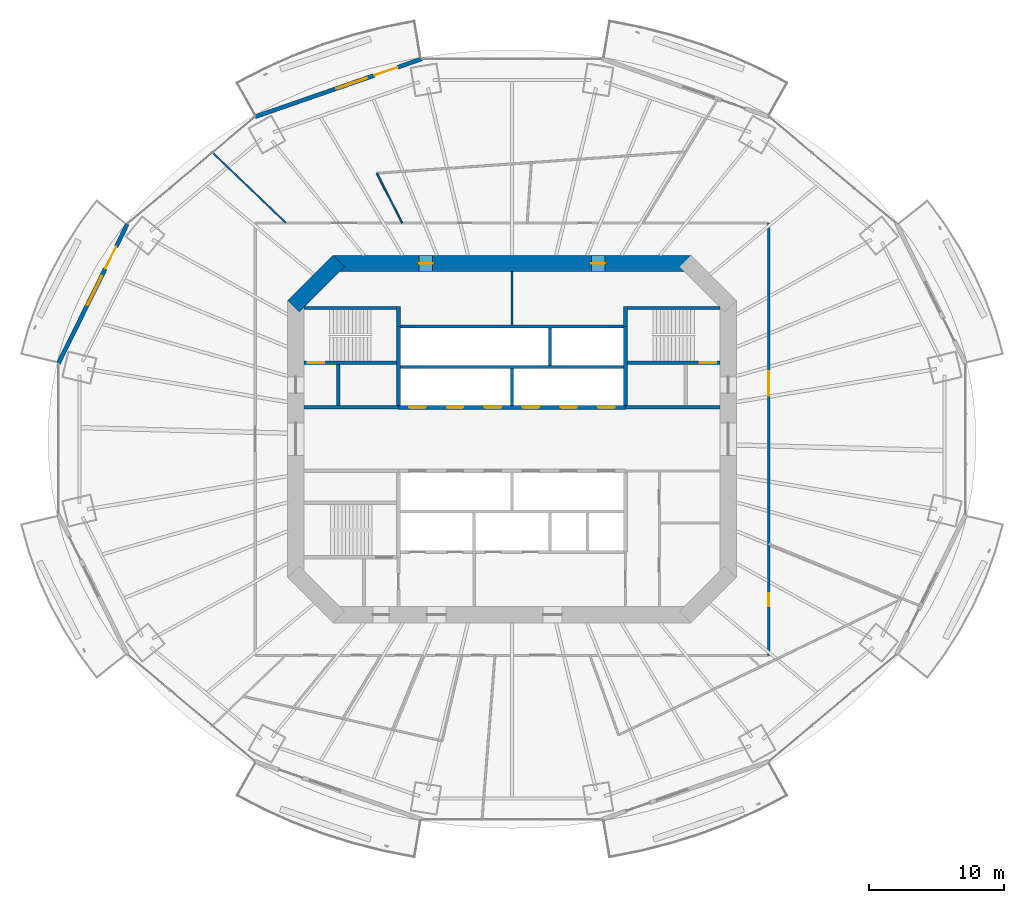
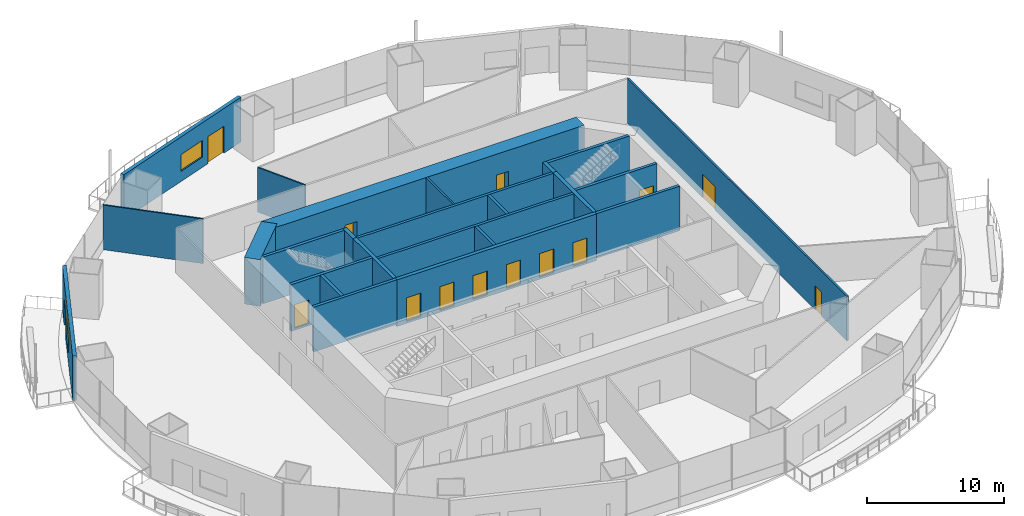
# One storey, part 15 of 22: 24 walls, 14 doors, 2 windows, 16 openings.
"""IFC4 building model written with IfcOpenShell, lengths in metres."""

from ifc_helpers import new_model, si_unit, direction, frame, frame_2d, origin, place, context, subcontext, project, spatial, rectangle, extrude, material, layer, layer_set, type_object, element, fill, save


model = new_model("IFC4")

# Units and contexts
model_context = context("Model", 3, precision=1e-05, world=origin(), true_north=direction((0.0, 1.0)))
body_context = subcontext(model_context, "Body", "Model", "MODEL_VIEW")
ifc_project = project(units=[si_unit("LENGTHUNIT", "METRE"), si_unit("AREAUNIT", "SQUARE_METRE"), si_unit("VOLUMEUNIT", "CUBIC_METRE"), si_unit("PLANEANGLEUNIT", "RADIAN"), si_unit("MASSUNIT", "GRAM", prefix="KILO")], contexts=[model_context])

# Site, building, storey
site_placement = place(None, origin())
site = spatial("IfcSite", under=ifc_project, at=site_placement, CompositionType="ELEMENT")
building_placement = place(site_placement, origin())
building = spatial("IfcBuilding", under=site, at=building_placement, Name="Marenthal Gate Tower", CompositionType="ELEMENT")
storey_placement = place(building_placement, frame((0.0, 0.0, 107.699951171875)))
storey = spatial("IfcBuildingStorey", under=building, at=storey_placement, Name="L22", CompositionType="ELEMENT", Elevation=107.699951171875)

# Wall, openings, doors
ifc_material_1 = material(Name="Concrete 60 MPa", Category="concrete")
ifc_layer_1 = layer(ifc_material_1, 1.199951171875)
ifc_layer_set_1 = layer_set([ifc_layer_1], Name="Core shear wall 1200")
wall_type_1 = type_object("IfcWallType", Name="Core shear wall 1200", PredefinedType="SHEAR", material=ifc_layer_set_1)
wall_1_placement = place(storey_placement, frame((13.24853515625, 13.0, -0.179931640625), z_axis=(0.0, 0.0, 1.0), x_axis=(-1.0, 0.0, 0.0)))
wall_1 = element("IfcWall", 1, at=wall_1_placement, inside=storey, type_object=wall_type_1, Name="Core wall 04", PredefinedType="SHEAR", context=body_context, shape_type="SweptSolid", body=[
    extrude(rectangle(XDim=26.4970703125, YDim=1.199951171875, at=frame_2d((13.24853515625, 0.0))), origin(), (0.0, 0.0, 1.0), 4.14990234375),
])
opening_1_placement = place(wall_1_placement, frame((19.12451171875, 0.0, 0.179931640625)))
opening_1 = element("IfcOpeningElement", 2, at=opening_1_placement, cuts=wall_1, Name="Opening D005.01", PredefinedType="OPENING", context=body_context, shape_type="SweptSolid", body=[
    extrude(rectangle(XDim=1.0, YDim=2.10009765625, at=frame_2d((0.5, 1.050048828125))), frame((0.0, 0.60986328125, 0.0), z_axis=(0.0, -1.0, 0.0), x_axis=(1.0, 0.0, 0.0)), (0.0, 0.0, 1.0), 1.219970703125),
])
opening_2_placement = place(wall_1_placement, frame((6.37255859375, 0.0, 0.179931640625)))
opening_2 = element("IfcOpeningElement", 3, at=opening_2_placement, cuts=wall_1, Name="Opening D005.02", PredefinedType="OPENING", context=body_context, shape_type="SweptSolid", body=[
    extrude(rectangle(XDim=1.0, YDim=2.10009765625, at=frame_2d((0.5, 1.050048828125))), frame((0.0, 0.60986328125, 0.0), z_axis=(0.0, -1.0, 0.0), x_axis=(1.0, 0.0, 0.0)), (0.0, 0.0, 1.0), 1.219970703125),
])
ifc_material_2 = material(Name="Steel fire door", Category="steel")
door_type_1 = type_object("IfcDoorType", Name="Fire door FD 45 1000 x 2100", OperationType="NOTDEFINED", PredefinedType="DOOR", material=ifc_material_2)
door_1_placement = place(opening_1_placement, origin())
door_1 = element("IfcDoor", 4, at=door_1_placement, inside=storey, type_object=door_type_1, Name="Door D005.01", OperationType="SINGLE_SWING_RIGHT", OverallHeight=2.10009765625, OverallWidth=1.0, PredefinedType="DOOR", context=body_context, shape_type="SweptSolid", body=[
    extrude(rectangle(XDim=1.0, YDim=2.10009765625, at=frame_2d((0.5, 1.050048828125))), frame((0.0, 0.02490234375, 0.0), z_axis=(0.0, -1.0, 0.0), x_axis=(1.0, 0.0, 0.0)), (0.0, 0.0, 1.0), 0.050048828125),
])
fill(opening_1, door_1)
door_2_placement = place(opening_2_placement, origin())
door_2 = element("IfcDoor", 5, at=door_2_placement, inside=storey, type_object=door_type_1, Name="Door D005.02", OperationType="SINGLE_SWING_RIGHT", OverallHeight=2.10009765625, OverallWidth=1.0, PredefinedType="DOOR", context=body_context, shape_type="SweptSolid", body=[
    extrude(rectangle(XDim=1.0, YDim=2.10009765625, at=frame_2d((0.5, 1.050048828125))), frame((0.0, 0.02490234375, 0.0), z_axis=(0.0, -1.0, 0.0), x_axis=(1.0, 0.0, 0.0)), (0.0, 0.0, 1.0), 0.050048828125),
])
fill(opening_2, door_2)

# Wall
wall_2_placement = place(storey_placement, frame((-12.82421875, 13.17578125, -0.179931640625), z_axis=(0.0, 0.0, 1.0), x_axis=(-0.707106781187, -0.707106781187, 0.0)))
element("IfcWall", 6, at=wall_2_placement, inside=storey, type_object=wall_type_1, Name="Core wall 05", PredefinedType="SHEAR", context=body_context, shape_type="SweptSolid", body=[
    extrude(rectangle(XDim=4.73974609375, YDim=1.199951171875, at=frame_2d((2.369873046875, 0.0))), origin(), (0.0, 0.0, 1.0), 4.14990234375),
])

# Wall, openings, doors
ifc_material_3 = material(Name="Concrete 50 MPa", Category="concrete")
ifc_layer_2 = layer(ifc_material_3, 0.300048828125)
ifc_layer_set_2 = layer_set([ifc_layer_2], Name="Hoistway shear wall 300")
wall_type_2 = type_object("IfcWallType", Name="Hoistway shear wall 300", PredefinedType="SHEAR", material=ifc_layer_set_2)
wall_3_placement = place(storey_placement, frame((-8.39990234375, 2.35009765625, -0.179931640625), z_axis=(0.0, 0.0, 1.0), x_axis=(1.0, 0.0, 0.0)))
wall_3 = element("IfcWall", 7, at=wall_3_placement, inside=storey, type_object=wall_type_2, Name="Hoistway wall 19", PredefinedType="SHEAR", context=body_context, shape_type="SweptSolid", body=[
    extrude(rectangle(XDim=16.7998046875, YDim=0.300048828125, at=frame_2d((8.39990234375, 0.0))), origin(), (0.0, 0.0, 1.0), 4.14990234375),
])
opening_3_placement = place(wall_3_placement, frame((0.800048828125, 0.0, 0.179931640625)))
opening_3 = element("IfcOpeningElement", 8, at=opening_3_placement, cuts=wall_3, Name="Opening LD-LP1", PredefinedType="OPENING", context=body_context, shape_type="SweptSolid", body=[
    extrude(rectangle(XDim=1.199951171875, YDim=2.10009765625, at=frame_2d((0.60009765625, 1.050048828125))), frame((0.0, 0.16015625, 0.0), z_axis=(0.0, -1.0, 0.0), x_axis=(1.0, 0.0, 0.0)), (0.0, 0.0, 1.0), 0.320068359375),
])
opening_4_placement = place(wall_3_placement, frame((3.60009765625, 0.0, 0.179931640625)))
opening_4 = element("IfcOpeningElement", 9, at=opening_4_placement, cuts=wall_3, Name="Opening LD-LP2", PredefinedType="OPENING", context=body_context, shape_type="SweptSolid", body=[
    extrude(rectangle(XDim=1.199951171875, YDim=2.10009765625, at=frame_2d((0.60009765625, 1.050048828125))), frame((0.0, 0.16015625, 0.0), z_axis=(0.0, -1.0, 0.0), x_axis=(1.0, 0.0, 0.0)), (0.0, 0.0, 1.0), 0.320068359375),
])
opening_5_placement = place(wall_3_placement, frame((6.39990234375, 0.0, 0.179931640625)))
opening_5 = element("IfcOpeningElement", 10, at=opening_5_placement, cuts=wall_3, Name="Opening LD-LP3", PredefinedType="OPENING", context=body_context, shape_type="SweptSolid", body=[
    extrude(rectangle(XDim=1.199951171875, YDim=2.10009765625, at=frame_2d((0.60009765625, 1.050048828125))), frame((0.0, 0.16015625, 0.0), z_axis=(0.0, -1.0, 0.0), x_axis=(1.0, 0.0, 0.0)), (0.0, 0.0, 1.0), 0.320068359375),
])
opening_6_placement = place(wall_3_placement, frame((9.199951171875, 0.0, 0.179931640625)))
opening_6 = element("IfcOpeningElement", 11, at=opening_6_placement, cuts=wall_3, Name="Opening LD-LP4", PredefinedType="OPENING", context=body_context, shape_type="SweptSolid", body=[
    extrude(rectangle(XDim=1.199951171875, YDim=2.10009765625, at=frame_2d((0.60009765625, 1.050048828125))), frame((0.0, 0.16015625, 0.0), z_axis=(0.0, -1.0, 0.0), x_axis=(1.0, 0.0, 0.0)), (0.0, 0.0, 1.0), 0.320068359375),
])
opening_7_placement = place(wall_3_placement, frame((12.0, 0.0, 0.179931640625)))
opening_7 = element("IfcOpeningElement", 12, at=opening_7_placement, cuts=wall_3, Name="Opening LD-LP5", PredefinedType="OPENING", context=body_context, shape_type="SweptSolid", body=[
    extrude(rectangle(XDim=1.199951171875, YDim=2.10009765625, at=frame_2d((0.60009765625, 1.050048828125))), frame((0.0, 0.16015625, 0.0), z_axis=(0.0, -1.0, 0.0), x_axis=(1.0, 0.0, 0.0)), (0.0, 0.0, 1.0), 0.320068359375),
])
opening_8_placement = place(wall_3_placement, frame((14.800048828125, 0.0, 0.179931640625)))
opening_8 = element("IfcOpeningElement", 13, at=opening_8_placement, cuts=wall_3, Name="Opening LD-LP6", PredefinedType="OPENING", context=body_context, shape_type="SweptSolid", body=[
    extrude(rectangle(XDim=1.199951171875, YDim=2.10009765625, at=frame_2d((0.60009765625, 1.050048828125))), frame((0.0, 0.16015625, 0.0), z_axis=(0.0, -1.0, 0.0), x_axis=(1.0, 0.0, 0.0)), (0.0, 0.0, 1.0), 0.320068359375),
])
ifc_material_4 = material(Name="Stainless steel sliding door", Category="steel")
door_type_2 = type_object("IfcDoorType", Name="Lift landing door FD 90 1200 x 2100", OperationType="DOUBLE_DOOR_SLIDING", PredefinedType="DOOR", material=ifc_material_4)
door_3_placement = place(opening_3_placement, origin())
door_3 = element("IfcDoor", 14, at=door_3_placement, inside=storey, type_object=door_type_2, Name="Lift landing door LP1", OperationType="DOUBLE_DOOR_SLIDING", OverallHeight=2.10009765625, OverallWidth=1.199951171875, PredefinedType="DOOR", context=body_context, shape_type="SweptSolid", body=[
    extrude(rectangle(XDim=1.199951171875, YDim=2.10009765625, at=frame_2d((0.60009765625, 1.050048828125))), frame((0.0, 0.02490234375, 0.0), z_axis=(0.0, -1.0, 0.0), x_axis=(1.0, 0.0, 0.0)), (0.0, 0.0, 1.0), 0.050048828125),
])
fill(opening_3, door_3)
door_4_placement = place(opening_4_placement, origin())
door_4 = element("IfcDoor", 15, at=door_4_placement, inside=storey, type_object=door_type_2, Name="Lift landing door LP2", OperationType="DOUBLE_DOOR_SLIDING", OverallHeight=2.10009765625, OverallWidth=1.199951171875, PredefinedType="DOOR", context=body_context, shape_type="SweptSolid", body=[
    extrude(rectangle(XDim=1.199951171875, YDim=2.10009765625, at=frame_2d((0.60009765625, 1.050048828125))), frame((0.0, 0.02490234375, 0.0), z_axis=(0.0, -1.0, 0.0), x_axis=(1.0, 0.0, 0.0)), (0.0, 0.0, 1.0), 0.050048828125),
])
fill(opening_4, door_4)
door_5_placement = place(opening_5_placement, origin())
door_5 = element("IfcDoor", 16, at=door_5_placement, inside=storey, type_object=door_type_2, Name="Lift landing door LP3", OperationType="DOUBLE_DOOR_SLIDING", OverallHeight=2.10009765625, OverallWidth=1.199951171875, PredefinedType="DOOR", context=body_context, shape_type="SweptSolid", body=[
    extrude(rectangle(XDim=1.199951171875, YDim=2.10009765625, at=frame_2d((0.60009765625, 1.050048828125))), frame((0.0, 0.02490234375, 0.0), z_axis=(0.0, -1.0, 0.0), x_axis=(1.0, 0.0, 0.0)), (0.0, 0.0, 1.0), 0.050048828125),
])
fill(opening_5, door_5)
door_6_placement = place(opening_6_placement, origin())
door_6 = element("IfcDoor", 17, at=door_6_placement, inside=storey, type_object=door_type_2, Name="Lift landing door LP4", OperationType="DOUBLE_DOOR_SLIDING", OverallHeight=2.10009765625, OverallWidth=1.199951171875, PredefinedType="DOOR", context=body_context, shape_type="SweptSolid", body=[
    extrude(rectangle(XDim=1.199951171875, YDim=2.10009765625, at=frame_2d((0.60009765625, 1.050048828125))), frame((0.0, 0.02490234375, 0.0), z_axis=(0.0, -1.0, 0.0), x_axis=(1.0, 0.0, 0.0)), (0.0, 0.0, 1.0), 0.050048828125),
])
fill(opening_6, door_6)
door_7_placement = place(opening_7_placement, origin())
door_7 = element("IfcDoor", 18, at=door_7_placement, inside=storey, type_object=door_type_2, Name="Lift landing door LP5", OperationType="DOUBLE_DOOR_SLIDING", OverallHeight=2.10009765625, OverallWidth=1.199951171875, PredefinedType="DOOR", context=body_context, shape_type="SweptSolid", body=[
    extrude(rectangle(XDim=1.199951171875, YDim=2.10009765625, at=frame_2d((0.60009765625, 1.050048828125))), frame((0.0, 0.02490234375, 0.0), z_axis=(0.0, -1.0, 0.0), x_axis=(1.0, 0.0, 0.0)), (0.0, 0.0, 1.0), 0.050048828125),
])
fill(opening_7, door_7)
door_8_placement = place(opening_8_placement, origin())
door_8 = element("IfcDoor", 19, at=door_8_placement, inside=storey, type_object=door_type_2, Name="Lift landing door LP6", OperationType="DOUBLE_DOOR_SLIDING", OverallHeight=2.10009765625, OverallWidth=1.199951171875, PredefinedType="DOOR", context=body_context, shape_type="SweptSolid", body=[
    extrude(rectangle(XDim=1.199951171875, YDim=2.10009765625, at=frame_2d((0.60009765625, 1.050048828125))), frame((0.0, 0.02490234375, 0.0), z_axis=(0.0, -1.0, 0.0), x_axis=(1.0, 0.0, 0.0)), (0.0, 0.0, 1.0), 0.050048828125),
])
fill(opening_8, door_8)

# Walls
for number, where, z_axis, x_axis, name in (
    (20, (-8.39990234375, 2.5, -0.179931640625), (0.0, 0.0, 1.0), (0.0, 1.0, 0.0), "Hoistway wall 31"),
    (21, (8.39990234375, 2.5, -0.179931640625), (0.0, 0.0, 1.0), (0.0, 1.0, 0.0), "Hoistway wall 43"),
):
    element("IfcWall", number, at=place(storey_placement, frame(where, z_axis=z_axis, x_axis=x_axis)), inside=storey, type_object=wall_type_2, Name=name, PredefinedType="SHEAR", context=body_context, shape_type="SweptSolid", body=[
        extrude(rectangle(XDim=5.85009765625, YDim=0.300048828125, at=frame_2d((2.925048828125, 0.0))), origin(), (0.0, 0.0, 1.0), 4.14990234375),
    ])
ifc_material_5 = material(Name="Concrete 40 MPa", Category="concrete")
ifc_layer_3 = layer(ifc_material_5, 0.219970703125)
ifc_layer_set_3 = layer_set([ifc_layer_3], Name="Hoistway wall 220")
wall_type_3 = type_object("IfcWallType", Name="Hoistway wall 220", PredefinedType="STANDARD", material=ifc_layer_set_3)
for number, where, z_axis, x_axis, name in (
    (22, (-8.25, 5.35009765625, 0.0), (0.0, 0.0, 1.0), (1.0, 0.0, 0.0), "Hoistway wall 21"),
    (23, (-8.25, 8.35009765625, 0.0), (0.0, 0.0, 1.0), (1.0, 0.0, 0.0), "Hoistway wall 24"),
):
    element("IfcWall", number, at=place(storey_placement, frame(where, z_axis=z_axis, x_axis=x_axis)), inside=storey, type_object=wall_type_3, Name=name, PredefinedType="STANDARD", context=body_context, shape_type="SweptSolid", body=[
        extrude(rectangle(XDim=16.5, YDim=0.219970703125, at=frame_2d((8.25, 0.0))), origin(), (0.0, 0.0, 1.0), 3.969970703125),
    ])
wall_4_placement = place(storey_placement, frame((0.0, 2.5, 0.0), z_axis=(0.0, 0.0, 1.0), x_axis=(0.0, 1.0, 0.0)))
element("IfcWall", 24, at=wall_4_placement, inside=storey, type_object=wall_type_3, Name="Hoistway wall 36", PredefinedType="STANDARD", context=body_context, shape_type="SweptSolid", body=[
    extrude(rectangle(XDim=2.739990234375, YDim=0.219970703125, at=frame_2d((1.3701171875, 0.0))), origin(), (0.0, 0.0, 1.0), 3.969970703125),
])
wall_5_placement = place(storey_placement, frame((2.800048828125, 5.4599609375, 0.0), z_axis=(0.0, 0.0, 1.0), x_axis=(0.0, 1.0, 0.0)))
element("IfcWall", 25, at=wall_5_placement, inside=storey, type_object=wall_type_3, Name="Hoistway wall 39", PredefinedType="STANDARD", context=body_context, shape_type="SweptSolid", body=[
    extrude(rectangle(XDim=2.780029296875, YDim=0.219970703125, at=frame_2d((1.39013671875, 0.0))), origin(), (0.0, 0.0, 1.0), 3.969970703125),
])
ifc_material_6 = material(Name="Gypsum board on steel studs", Category="steel")
ifc_layer_4 = layer(ifc_material_6, 0.1201171875)
ifc_layer_set_4 = layer_set([ifc_layer_4], Name="Partition 120")
wall_type_4 = type_object("IfcWallType", Name="Partition 120", PredefinedType="PARTITIONING", material=ifc_layer_set_4)
wall_6_placement = place(storey_placement, frame((-16.7255859375, 16.0, 0.0), z_axis=(0.0, 0.0, 1.0), x_axis=(-0.722599633889, 0.691266785767, 0.0)))
element("IfcWall", 26, at=wall_6_placement, inside=storey, type_object=wall_type_4, Name="Partition wall 51", PredefinedType="PARTITIONING", context=body_context, shape_type="SweptSolid", body=[
    extrude(rectangle(XDim=7.53466796875, YDim=0.1201171875, at=frame_2d((3.767333984375, 0.0))), origin(), (0.0, 0.0, 1.0), 3.969970703125),
])
wall_7_placement = place(storey_placement, frame((-10.001220703125, 19.67529296875, 0.0), z_axis=(0.0, 0.0, 1.0), x_axis=(0.45312545454, -0.891446758056, 0.0)))
element("IfcWall", 27, at=wall_7_placement, inside=storey, type_object=wall_type_4, Name="Partition wall 54", PredefinedType="PARTITIONING", context=body_context, shape_type="SweptSolid", body=[
    extrude(rectangle(XDim=4.122802734375, YDim=0.1201171875, at=frame_2d((2.0615234375, 0.0))), origin(), (0.0, 0.0, 1.0), 3.969970703125),
])
ifc_material_7 = material(Name="Gypsum board on steel studs", Category="steel")
ifc_layer_5 = layer(ifc_material_7, 0.14990234375)
ifc_layer_set_5 = layer_set([ifc_layer_5], Name="Partition 150")
wall_type_5 = type_object("IfcWallType", Name="Partition 150", PredefinedType="PARTITIONING", material=ifc_layer_set_5)
wall_8_placement = place(storey_placement, frame((0.0, 8.4599609375, 0.0), z_axis=(0.0, 0.0, 1.0), x_axis=(0.0, 1.0, 0.0)))
element("IfcWall", 28, at=wall_8_placement, inside=storey, type_object=wall_type_5, Name="Partition wall 37", PredefinedType="PARTITIONING", context=body_context, shape_type="SweptSolid", body=[
    extrude(rectangle(XDim=3.93994140625, YDim=0.14990234375, at=frame_2d((1.969970703125, 0.0))), origin(), (0.0, 0.0, 1.0), 3.969970703125),
])

# Wall, openings, doors
wall_9_placement = place(storey_placement, frame((19.0, 16.0, 0.0), z_axis=(0.0, 0.0, 1.0), x_axis=(0.0, -1.0, 0.0)))
wall_9 = element("IfcWall", 29, at=wall_9_placement, inside=storey, type_object=wall_type_5, Name="Partition wall 66", PredefinedType="PARTITIONING", context=body_context, shape_type="SweptSolid", body=[
    extrude(rectangle(XDim=32.0, YDim=0.14990234375, at=frame_2d((16.0, 0.0))), origin(), (0.0, 0.0, 1.0), 3.969970703125),
])
opening_9_placement = place(wall_9_placement, frame((27.406005859375, 0.0, 0.0)))
opening_9 = element("IfcOpeningElement", 30, at=opening_9_placement, cuts=wall_9, Name="Opening D016.09", PredefinedType="OPENING", context=body_context, shape_type="SweptSolid", body=[
    extrude(rectangle(XDim=0.949951171875, YDim=2.10009765625, at=frame_2d((0.47509765625, 1.050048828125))), frame((0.0, 0.0849609375, 0.0), z_axis=(0.0, -1.0, 0.0), x_axis=(1.0, 0.0, 0.0)), (0.0, 0.0, 1.0), 0.169921875),
])
opening_10_placement = place(wall_9_placement, frame((10.98193359375, 0.0, 0.0)))
opening_10 = element("IfcOpeningElement", 31, at=opening_10_placement, cuts=wall_9, Name="Opening D014.04", PredefinedType="OPENING", context=body_context, shape_type="SweptSolid", body=[
    extrude(rectangle(XDim=1.800048828125, YDim=2.10009765625, at=frame_2d((0.89990234375, 1.050048828125))), frame((0.0, 0.0849609375, 0.0), z_axis=(0.0, -1.0, 0.0), x_axis=(1.0, 0.0, 0.0)), (0.0, 0.0, 1.0), 0.169921875),
])
ifc_material_8 = material(Name="Timber door", Category="wood")
door_type_3 = type_object("IfcDoorType", Name="Door 950 x 2100", OperationType="NOTDEFINED", PredefinedType="DOOR", material=ifc_material_8)
door_9_placement = place(opening_9_placement, origin())
door_9 = element("IfcDoor", 32, at=door_9_placement, inside=storey, type_object=door_type_3, Name="Door D016.09", OperationType="SINGLE_SWING_RIGHT", OverallHeight=2.10009765625, OverallWidth=0.949951171875, PredefinedType="DOOR", context=body_context, shape_type="SweptSolid", body=[
    extrude(rectangle(XDim=0.949951171875, YDim=2.10009765625, at=frame_2d((0.47509765625, 1.050048828125))), frame((0.0, 0.02490234375, 0.0), z_axis=(0.0, -1.0, 0.0), x_axis=(1.0, 0.0, 0.0)), (0.0, 0.0, 1.0), 0.050048828125),
])
fill(opening_9, door_9)
ifc_material_9 = material(Name="Timber door", Category="wood")
door_type_4 = type_object("IfcDoorType", Name="Double door 1800 x 2100", OperationType="DOUBLE_DOOR_SINGLE_SWING", PredefinedType="DOOR", material=ifc_material_9)
door_10_placement = place(opening_10_placement, origin())
door_10 = element("IfcDoor", 33, at=door_10_placement, inside=storey, type_object=door_type_4, Name="Door D014.04", OperationType="DOUBLE_DOOR_SINGLE_SWING", OverallHeight=2.10009765625, OverallWidth=1.800048828125, PredefinedType="DOOR", context=body_context, shape_type="SweptSolid", body=[
    extrude(rectangle(XDim=1.800048828125, YDim=2.10009765625, at=frame_2d((0.89990234375, 1.050048828125))), frame((0.0, 0.02490234375, 0.0), z_axis=(0.0, -1.0, 0.0), x_axis=(1.0, 0.0, 0.0)), (0.0, 0.0, 1.0), 0.050048828125),
])
fill(opening_10, door_10)

# Walls
ifc_material_10 = material(Name="Concrete 40 MPa", Category="concrete")
ifc_layer_6 = layer(ifc_material_10, 0.25)
ifc_layer_set_6 = layer_set([ifc_layer_6], Name="Stair enclosure wall 250")
wall_type_6 = type_object("IfcWallType", Name="Stair enclosure wall 250", PredefinedType="STANDARD", material=ifc_layer_set_6)
for number, where, z_axis, x_axis, name in (
    (34, (-15.39990234375, 2.35009765625, 0.0), (0.0, 0.0, 1.0), (1.0, 0.0, 0.0), "Stair wall 18"),
    (35, (8.39990234375, 2.35009765625, 0.0), (0.0, 0.0, 1.0), (1.0, 0.0, 0.0), "Stair wall 20"),
):
    element("IfcWall", number, at=place(storey_placement, frame(where, z_axis=z_axis, x_axis=x_axis)), inside=storey, type_object=wall_type_6, Name=name, PredefinedType="STANDARD", context=body_context, shape_type="SweptSolid", body=[
        extrude(rectangle(XDim=7.0, YDim=0.25, at=frame_2d((3.5, 0.0))), origin(), (0.0, 0.0, 1.0), 3.969970703125),
    ])
wall_10_placement = place(storey_placement, frame((-12.85009765625, 2.47509765625, 0.0), z_axis=(0.0, 0.0, 1.0), x_axis=(0.0, 1.0, 0.0)))
element("IfcWall", 36, at=wall_10_placement, inside=storey, type_object=wall_type_6, Name="Stair wall 27", PredefinedType="STANDARD", context=body_context, shape_type="SweptSolid", body=[
    extrude(rectangle(XDim=3.0498046875, YDim=0.25, at=frame_2d((1.52490234375, 0.0))), origin(), (0.0, 0.0, 1.0), 3.969970703125),
])

# Wall, opening, door
ifc_material_11 = material(Name="Concrete 50 MPa", Category="concrete")
ifc_layer_7 = layer(ifc_material_11, 0.25)
ifc_layer_set_7 = layer_set([ifc_layer_7], Name="Stair shear wall 250")
wall_type_7 = type_object("IfcWallType", Name="Stair shear wall 250", PredefinedType="SHEAR", material=ifc_layer_set_7)
wall_11_placement = place(storey_placement, frame((-15.39990234375, 5.64990234375, -0.179931640625), z_axis=(0.0, 0.0, 1.0), x_axis=(1.0, 0.0, 0.0)))
wall_11 = element("IfcWall", 37, at=wall_11_placement, inside=storey, type_object=wall_type_7, Name="Stair wall 22", PredefinedType="SHEAR", context=body_context, shape_type="SweptSolid", body=[
    extrude(rectangle(XDim=6.849853515625, YDim=0.25, at=frame_2d((3.4248046875, 0.0))), origin(), (0.0, 0.0, 1.0), 4.14990234375),
])
opening_11_placement = place(wall_11_placement, frame((0.300048828125, 0.0, 0.179931640625)))
opening_11 = element("IfcOpeningElement", 38, at=opening_11_placement, cuts=wall_11, Name="Opening D001.01", PredefinedType="OPENING", context=body_context, shape_type="SweptSolid", body=[
    extrude(rectangle(XDim=1.199951171875, YDim=2.10009765625, at=frame_2d((0.60009765625, 1.050048828125))), frame((0.0, 0.135009765625, 0.0), z_axis=(0.0, -1.0, 0.0), x_axis=(1.0, 0.0, 0.0)), (0.0, 0.0, 1.0), 0.27001953125),
])
ifc_material_12 = material(Name="Steel fire door", Category="steel")
door_type_5 = type_object("IfcDoorType", Name="Fire door FD 90 1200 x 2100", OperationType="NOTDEFINED", PredefinedType="DOOR", material=ifc_material_12)
door_11_placement = place(opening_11_placement, origin())
door_11 = element("IfcDoor", 39, at=door_11_placement, inside=storey, type_object=door_type_5, Name="Door D001.01", OperationType="SINGLE_SWING_RIGHT", OverallHeight=2.10009765625, OverallWidth=1.199951171875, PredefinedType="DOOR", context=body_context, shape_type="SweptSolid", body=[
    extrude(rectangle(XDim=1.199951171875, YDim=2.10009765625, at=frame_2d((0.60009765625, 1.050048828125))), frame((0.0, 0.02490234375, 0.0), z_axis=(0.0, -1.0, 0.0), x_axis=(1.0, 0.0, 0.0)), (0.0, 0.0, 1.0), 0.050048828125),
])
fill(opening_11, door_11)

wall_12_placement = place(storey_placement, frame((8.550048828125, 5.64990234375, -0.179931640625), z_axis=(0.0, 0.0, 1.0), x_axis=(1.0, 0.0, 0.0)))
wall_12 = element("IfcWall", 40, at=wall_12_placement, inside=storey, type_object=wall_type_7, Name="Stair wall 23", PredefinedType="SHEAR", context=body_context, shape_type="SweptSolid", body=[
    extrude(rectangle(XDim=6.849853515625, YDim=0.25, at=frame_2d((3.4248046875, 0.0))), origin(), (0.0, 0.0, 1.0), 4.14990234375),
])
opening_12_placement = place(wall_12_placement, frame((5.35009765625, 0.0, 0.179931640625)))
opening_12 = element("IfcOpeningElement", 41, at=opening_12_placement, cuts=wall_12, Name="Opening D001.02", PredefinedType="OPENING", context=body_context, shape_type="SweptSolid", body=[
    extrude(rectangle(XDim=1.199951171875, YDim=2.10009765625, at=frame_2d((0.60009765625, 1.050048828125))), frame((0.0, 0.135009765625, 0.0), z_axis=(0.0, -1.0, 0.0), x_axis=(1.0, 0.0, 0.0)), (0.0, 0.0, 1.0), 0.27001953125),
])
door_12_placement = place(opening_12_placement, origin())
door_12 = element("IfcDoor", 42, at=door_12_placement, inside=storey, type_object=door_type_5, Name="Door D001.02", OperationType="SINGLE_SWING_RIGHT", OverallHeight=2.10009765625, OverallWidth=1.199951171875, PredefinedType="DOOR", context=body_context, shape_type="SweptSolid", body=[
    extrude(rectangle(XDim=1.199951171875, YDim=2.10009765625, at=frame_2d((0.60009765625, 1.050048828125))), frame((0.0, 0.02490234375, 0.0), z_axis=(0.0, -1.0, 0.0), x_axis=(1.0, 0.0, 0.0)), (0.0, 0.0, 1.0), 0.050048828125),
])
fill(opening_12, door_12)

# Walls
for number, where, z_axis, x_axis, name in (
    (43, (-15.39990234375, 9.699951171875, -0.179931640625), (0.0, 0.0, 1.0), (1.0, 0.0, 0.0), "Stair wall 25"),
    (44, (8.550048828125, 9.699951171875, -0.179931640625), (0.0, 0.0, 1.0), (1.0, 0.0, 0.0), "Stair wall 26"),
):
    element("IfcWall", number, at=place(storey_placement, frame(where, z_axis=z_axis, x_axis=x_axis)), inside=storey, type_object=wall_type_7, Name=name, PredefinedType="SHEAR", context=body_context, shape_type="SweptSolid", body=[
        extrude(rectangle(XDim=6.849853515625, YDim=0.25, at=frame_2d((3.4248046875, 0.0))), origin(), (0.0, 0.0, 1.0), 4.14990234375),
    ])
ifc_material_13 = material(Name="Concrete 50 MPa", Category="concrete")
ifc_layer_8 = layer(ifc_material_13, 0.300048828125)
ifc_layer_set_8 = layer_set([ifc_layer_8], Name="Stair shear wall 300")
wall_type_8 = type_object("IfcWallType", Name="Stair shear wall 300", PredefinedType="SHEAR", material=ifc_layer_set_8)
for number, where, z_axis, x_axis, name in (
    (45, (-8.39990234375, 8.35009765625, -0.179931640625), (0.0, 0.0, 1.0), (0.0, 1.0, 0.0), "Stair wall 32"),
    (46, (8.39990234375, 8.35009765625, -0.179931640625), (0.0, 0.0, 1.0), (0.0, 1.0, 0.0), "Stair wall 44"),
):
    element("IfcWall", number, at=place(storey_placement, frame(where, z_axis=z_axis, x_axis=x_axis)), inside=storey, type_object=wall_type_8, Name=name, PredefinedType="SHEAR", context=body_context, shape_type="SweptSolid", body=[
        extrude(rectangle(XDim=1.474853515625, YDim=0.300048828125, at=frame_2d((0.7373046875, 0.0))), origin(), (0.0, 0.0, 1.0), 4.14990234375),
    ])

# Wall, openings, door, window
ifc_material_14 = material(Name="Terracotta cladding on insulated concrete-block backing", Category="masonry")
ifc_layer_9 = layer(ifc_material_14, 0.300048828125)
ifc_layer_set_9 = layer_set([ifc_layer_9], Name="Terracotta facade wall 300")
wall_type_9 = type_object("IfcWallType", Name="Terracotta facade wall 300", PredefinedType="SOLIDWALL", material=ifc_layer_set_9)
wall_13_placement = place(storey_placement, frame((-6.67724609375, 28.13671875, 0.0), z_axis=(0.0, 0.0, 1.0), x_axis=(-0.944684524645, -0.327980409318, 0.0)))
wall_13 = element("IfcWall", 47, at=wall_13_placement, inside=storey, type_object=wall_type_9, Name="Terracotta facade wall L22 bay 5", PredefinedType="SOLIDWALL", context=body_context, shape_type="SweptSolid", body=[
    extrude(rectangle(XDim=13.06005859375, YDim=0.300048828125, at=frame_2d((6.530029296875, 0.0))), origin(), (0.0, 0.0, 1.0), 3.969970703125),
])
opening_13_placement = place(wall_13_placement, frame((1.89990234375, 0.0, 0.0)))
opening_13 = element("IfcOpeningElement", 48, at=opening_13_placement, cuts=wall_13, Name="Opening BD-L22-05", PredefinedType="OPENING", context=body_context, shape_type="SweptSolid", body=[
    extrude(rectangle(XDim=1.800048828125, YDim=2.39990234375, at=frame_2d((0.89990234375, 1.199951171875))), frame((0.0, 0.16015625, 0.0), z_axis=(0.0, -1.0, 0.0), x_axis=(1.0, 0.0, 0.0)), (0.0, 0.0, 1.0), 0.320068359375),
])
opening_14_placement = place(wall_13_placement, frame((4.300048828125, 0.0, 0.89990234375)))
opening_14 = element("IfcOpeningElement", 49, at=opening_14_placement, cuts=wall_13, Name="Opening WN1-L22-05", PredefinedType="OPENING", context=body_context, shape_type="SweptSolid", body=[
    extrude(rectangle(XDim=2.39990234375, YDim=1.5, at=frame_2d((1.199951171875, 0.75))), frame((0.0, 0.16015625, 0.0), z_axis=(0.0, -1.0, 0.0), x_axis=(1.0, 0.0, 0.0)), (0.0, 0.0, 1.0), 0.320068359375),
])
ifc_material_15 = material(Name="Aluminium and glass", Category="aluminium")
door_type_6 = type_object("IfcDoorType", Name="Balcony door 1800x2400", OperationType="DOUBLE_DOOR_SINGLE_SWING", PredefinedType="DOOR", material=ifc_material_15)
door_13_placement = place(opening_13_placement, origin())
door_13 = element("IfcDoor", 50, at=door_13_placement, inside=storey, type_object=door_type_6, Name="Balcony door L22 bay 5", OperationType="SINGLE_SWING_LEFT", OverallHeight=2.39990234375, OverallWidth=1.800048828125, PredefinedType="DOOR", context=body_context, shape_type="SweptSolid", body=[
    extrude(rectangle(XDim=1.800048828125, YDim=2.39990234375, at=frame_2d((0.89990234375, 1.199951171875))), frame((0.0, 0.02490234375, 0.0), z_axis=(0.0, -1.0, 0.0), x_axis=(1.0, 0.0, 0.0)), (0.0, 0.0, 1.0), 0.050048828125),
])
fill(opening_13, door_13)
ifc_material_16 = material(Name="Aluminium and glass", Category="aluminium")
window_type = type_object("IfcWindowType", Name="Window 2400x1500", PartitioningType="TRIPLE_PANEL_VERTICAL", PredefinedType="WINDOW", material=ifc_material_16)
window_1_placement = place(opening_14_placement, origin())
window_1 = element("IfcWindow", 51, at=window_1_placement, inside=storey, type_object=window_type, Name="Window L22 bay 5", OverallHeight=1.5, OverallWidth=2.39990234375, PartitioningType="SINGLE_PANEL", PredefinedType="WINDOW", context=body_context, shape_type="SweptSolid", body=[
    extrude(rectangle(XDim=2.39990234375, YDim=1.5, at=frame_2d((1.199951171875, 0.75))), frame((0.0, 0.030029296875, 0.0), z_axis=(0.0, -1.0, 0.0), x_axis=(1.0, 0.0, 0.0)), (0.0, 0.0, 1.0), 0.06005859375),
])
fill(opening_14, window_1)

wall_14_placement = place(storey_placement, frame((-28.4580078125, 15.938232421875, 0.0), z_axis=(0.0, 0.0, 1.0), x_axis=(-0.443026495864, -0.896508518622, 0.0)))
wall_14 = element("IfcWall", 52, at=wall_14_placement, inside=storey, type_object=wall_type_9, Name="Terracotta facade wall L22 bay 7", PredefinedType="SOLIDWALL", context=body_context, shape_type="SweptSolid", body=[
    extrude(rectangle(XDim=11.53515625, YDim=0.300048828125, at=frame_2d((5.767578125, 0.0))), origin(), (0.0, 0.0, 1.0), 3.969970703125),
])
opening_15_placement = place(wall_14_placement, frame((1.89990234375, 0.0, 0.0)))
opening_15 = element("IfcOpeningElement", 53, at=opening_15_placement, cuts=wall_14, Name="Opening BD-L22-07", PredefinedType="OPENING", context=body_context, shape_type="SweptSolid", body=[
    extrude(rectangle(XDim=1.800048828125, YDim=2.39990234375, at=frame_2d((0.89990234375, 1.199951171875))), frame((0.0, 0.16015625, 0.0), z_axis=(0.0, -1.0, 0.0), x_axis=(1.0, 0.0, 0.0)), (0.0, 0.0, 1.0), 0.320068359375),
])
opening_16_placement = place(wall_14_placement, frame((4.300048828125, 0.0, 0.89990234375)))
opening_16 = element("IfcOpeningElement", 54, at=opening_16_placement, cuts=wall_14, Name="Opening WN1-L22-07", PredefinedType="OPENING", context=body_context, shape_type="SweptSolid", body=[
    extrude(rectangle(XDim=2.39990234375, YDim=1.5, at=frame_2d((1.199951171875, 0.75))), frame((0.0, 0.16015625, 0.0), z_axis=(0.0, -1.0, 0.0), x_axis=(1.0, 0.0, 0.0)), (0.0, 0.0, 1.0), 0.320068359375),
])
door_14_placement = place(opening_15_placement, origin())
door_14 = element("IfcDoor", 55, at=door_14_placement, inside=storey, type_object=door_type_6, Name="Balcony door L22 bay 7", OperationType="SINGLE_SWING_LEFT", OverallHeight=2.39990234375, OverallWidth=1.800048828125, PredefinedType="DOOR", context=body_context, shape_type="SweptSolid", body=[
    extrude(rectangle(XDim=1.800048828125, YDim=2.39990234375, at=frame_2d((0.89990234375, 1.199951171875))), frame((0.0, 0.02490234375, 0.0), z_axis=(0.0, -1.0, 0.0), x_axis=(1.0, 0.0, 0.0)), (0.0, 0.0, 1.0), 0.050048828125),
])
fill(opening_15, door_14)
window_2_placement = place(opening_16_placement, origin())
window_2 = element("IfcWindow", 56, at=window_2_placement, inside=storey, type_object=window_type, Name="Window L22 bay 7", OverallHeight=1.5, OverallWidth=2.39990234375, PartitioningType="SINGLE_PANEL", PredefinedType="WINDOW", context=body_context, shape_type="SweptSolid", body=[
    extrude(rectangle(XDim=2.39990234375, YDim=1.5, at=frame_2d((1.199951171875, 0.75))), frame((0.0, 0.030029296875, 0.0), z_axis=(0.0, -1.0, 0.0), x_axis=(1.0, 0.0, 0.0)), (0.0, 0.0, 1.0), 0.06005859375),
])
fill(opening_16, window_2)

save(model, "model.ifc")
